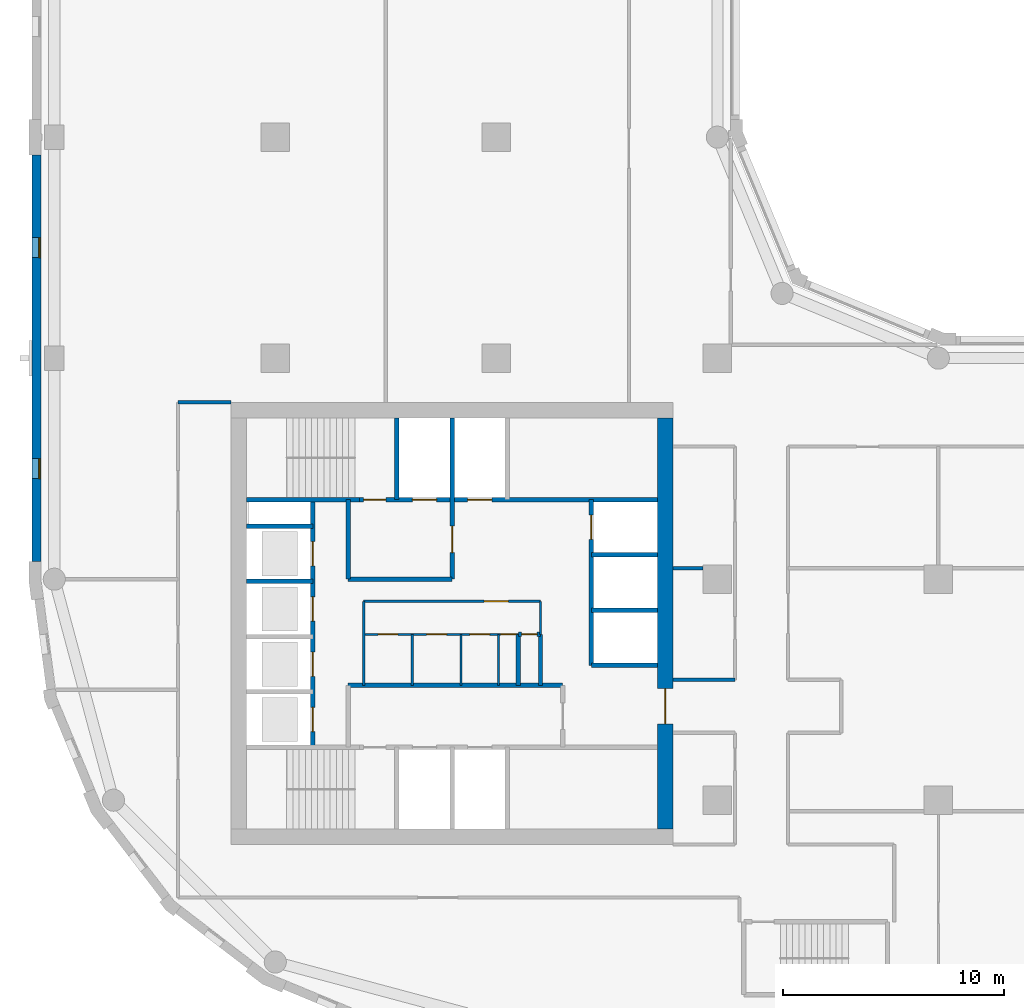
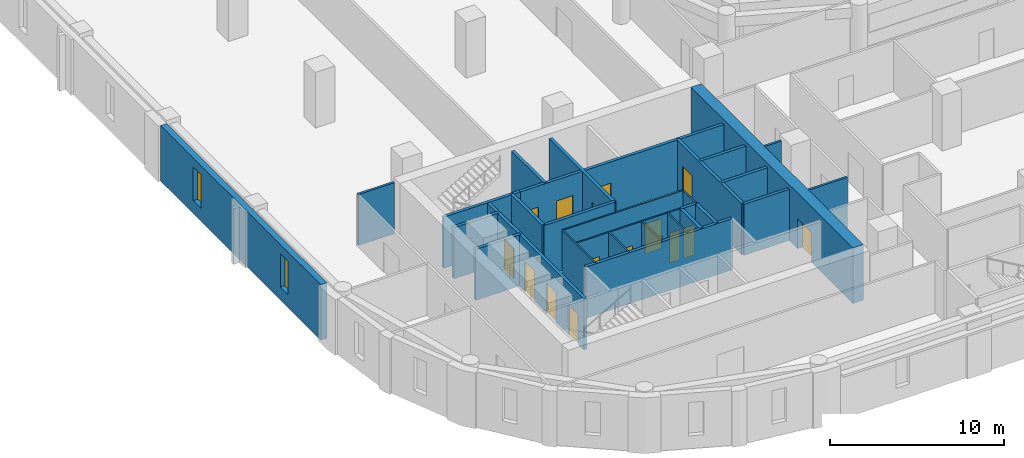
# One storey, part 3 of 9: 29 walls, 16 doors, 2 windows, 18 openings.
"""IFC4 building model written with IfcOpenShell, lengths in metres."""

import ifcopenshell
import ifcopenshell.guid

model = None  # the IFC model being written
_history = None  # IfcOwnerHistory: only IFC2X3 demands one
_inside = {}  # id of a spatial element -> (the spatial element, [elements in it])
_under = {}  # id of a project, library or spatial element -> (it, [spatial elements below it])
_declared = {}  # id of a project -> (the project, [libraries it declares])
_typed = {}  # id of a type object -> (the type object, [elements of that type])
_made_of = {}  # id of a material, layer set ... -> (it, [elements and type objects made of it])


def new_model(schema):
    """Start an empty IFC model of exactly this schema.

    Asked for "IFC4X3", IfcOpenShell would pick the latest addendum, in which some entities
    have other attributes; the version numbers below select the first issue.
    IFC2X3 requires an IfcOwnerHistory on every rooted entity: one is made here for all.
    """
    global model, _history
    if schema == "IFC4X3":
        model = ifcopenshell.file(schema_version=(4, 3, 0, 0))
    else:
        model = ifcopenshell.file(schema=schema)
    _inside.clear()
    _under.clear()
    _declared.clear()
    _typed.clear()
    _made_of.clear()
    _history = None
    if model.schema == "IFC2X3":
        org = make("IfcOrganization", Name="unknown")
        user = make(
            "IfcPersonAndOrganization",
            ThePerson=make("IfcPerson", FamilyName="unknown"),
            TheOrganization=org,
        )
        app = make(
            "IfcApplication",
            ApplicationDeveloper=org,
            Version="unknown",
            ApplicationFullName="unknown",
            ApplicationIdentifier="unknown",
        )
        _history = make(
            "IfcOwnerHistory",
            OwningUser=user,
            OwningApplication=app,
            ChangeAction="ADDED",
            CreationDate=0,
        )
    return model


def make(cls, **values):
    """One entity of the class cls with the attributes given. An attribute that is None is left unset."""
    return model.create_entity(
        cls, **{name: value for name, value in values.items() if value is not None}
    )


def rooted(cls, **values):
    """An entity with a GlobalId (a new one), such as an element, a storey or a relation."""
    return make(cls, GlobalId=ifcopenshell.guid.new(), OwnerHistory=_history, **values)


def si_unit(unit_type, name, prefix=None):
    """IfcSIUnit, for example si_unit("LENGTHUNIT", "METRE", prefix="MILLI")."""
    return make("IfcSIUnit", UnitType=unit_type, Prefix=prefix, Name=name)


def assignment(units):
    """IfcUnitAssignment: the units of a project."""
    return None if units is None else make("IfcUnitAssignment", Units=units)


def point(xyz):
    """IfcCartesianPoint."""
    return None if xyz is None else make("IfcCartesianPoint", Coordinates=xyz)


def direction(xyz):
    """IfcDirection."""
    return None if xyz is None else make("IfcDirection", DirectionRatios=xyz)


def frame(location, z_axis=None, x_axis=None):
    """IfcAxis2Placement3D, a coordinate frame: its origin and axes. An axis left out is left unset."""
    return make(
        "IfcAxis2Placement3D",
        Location=point(location),
        Axis=direction(z_axis),
        RefDirection=direction(x_axis),
    )


def frame_2d(location, x_axis=None):
    """IfcAxis2Placement2D, a coordinate frame in the plane: its origin and x axis."""
    return make(
        "IfcAxis2Placement2D", Location=point(location), RefDirection=direction(x_axis)
    )


def origin():
    """The frame at (0, 0, 0) with its axes left unset."""
    return frame((0.0, 0.0, 0.0))


def place(relative_to, where):
    """IfcLocalPlacement: puts the frame where relative to a parent placement (None: the world)."""
    return make(
        "IfcLocalPlacement", PlacementRelTo=relative_to, RelativePlacement=where
    )


def context(
    kind, dimensions, precision=None, world=None, true_north=None, identifier=None
):
    """IfcGeometricRepresentationContext, for example the 3D "Model" context."""
    return make(
        "IfcGeometricRepresentationContext",
        ContextIdentifier=identifier,
        ContextType=kind,
        CoordinateSpaceDimension=dimensions,
        Precision=precision,
        WorldCoordinateSystem=world,
        TrueNorth=true_north,
    )


def subcontext(parent, identifier, kind, view, scale=None):
    """IfcGeometricRepresentationSubContext, for example "Body" below "Model"."""
    return make(
        "IfcGeometricRepresentationSubContext",
        ContextIdentifier=identifier,
        ContextType=kind,
        ParentContext=parent,
        TargetScale=scale,
        TargetView=view,
    )


def project(units=None, contexts=None):
    """IfcProject with its units and contexts."""
    return rooted(
        "IfcProject",
        Name="project",
        RepresentationContexts=contexts,
        UnitsInContext=assignment(units),
    )


def spatial(cls, under=None, at=None, **own):
    """A site, building, storey or space (cls), placed at a placement, below another one or the project."""
    s = rooted(cls, ObjectPlacement=at, **own)
    if under is not None:
        _under.setdefault(under.id(), (under, []))[1].append(s)
    return s


def profile(cls, at=None, kind="AREA", **sizes):
    """A parametric profile (cls). Its sizes go by their IFC names, for example OverallWidth=200.0."""
    return make(cls, ProfileType=kind, Position=at, **sizes)


def rectangle(**sizes):
    """IfcRectangleProfileDef."""
    return profile("IfcRectangleProfileDef", **sizes)


def extrude(swept, where, along, depth):
    """IfcExtrudedAreaSolid: the profile swept, set in the frame where, extruded along a direction by depth."""
    return make(
        "IfcExtrudedAreaSolid",
        SweptArea=swept,
        Position=where,
        ExtrudedDirection=direction(along),
        Depth=depth,
    )


def shape(context_of_items, identifier, shape_type, items):
    """IfcShapeRepresentation: the items that make up one representation, for example the "Body"."""
    return make(
        "IfcShapeRepresentation",
        ContextOfItems=context_of_items,
        RepresentationIdentifier=identifier,
        RepresentationType=shape_type,
        Items=items,
    )


def material(Name=None, Category=None):
    """IfcMaterial."""
    return make("IfcMaterial", Name=Name, Category=Category)


def layer(
    of_material, thickness, ventilated=None, Name=None, Category=None, Priority=None
):
    """IfcMaterialLayer: one layer of a wall or slab, of a material (None: an air gap)."""
    return make(
        "IfcMaterialLayer",
        Material=of_material,
        LayerThickness=thickness,
        IsVentilated=ventilated,
        Name=Name,
        Category=Category,
        Priority=Priority,
    )


def layer_set(layers, Name=None):
    """IfcMaterialLayerSet."""
    return make("IfcMaterialLayerSet", MaterialLayers=layers, LayerSetName=Name)


def made_of(thing, what):
    """Note that an element or type object is made of a material, layer set ...; save() writes the relation."""
    if what is not None:
        _made_of.setdefault(what.id(), (what, []))[1].append(thing)
    return thing


def type_object(cls, material=None, **own):
    """A type object (cls), such as IfcWallType, which elements share."""
    return made_of(rooted(cls, **own), material)


def element(
    cls,
    number,
    at=None,
    inside=None,
    cuts=None,
    type_object=None,
    material=None,
    context=None,
    identifier="Body",
    shape_type=None,
    held_by="IfcProductDefinitionShape",
    body=None,
    shapes=None,
    **own,
):
    """One element of the class cls, such as IfcWall. Its Tag is "e" and its number.

    at: its placement. inside: the storey or other place that contains it. cuts: it is an
    opening in that element (IfcRelVoidsElement). A single representation is given by context,
    identifier, shape_type and body (its items); several are given by shapes. held_by: the class
    of the entity that holds the representations. save() writes the other relations.
    """
    e = rooted(cls, Tag="e%d" % number, ObjectPlacement=at, **own)
    if body is not None:
        shapes = [shape(context, identifier, shape_type, body)]
    if shapes is not None:
        e.Representation = make(held_by, Representations=shapes)
    if inside is not None:
        _inside.setdefault(inside.id(), (inside, []))[1].append(e)
    if cuts is not None:
        rooted(
            "IfcRelVoidsElement", RelatingBuildingElement=cuts, RelatedOpeningElement=e
        )
    if type_object is not None:
        _typed.setdefault(type_object.id(), (type_object, []))[1].append(e)
    return made_of(e, material)


def fill(opening, filler):
    """IfcRelFillsElement: the door or window that sits in an opening."""
    return rooted(
        "IfcRelFillsElement",
        RelatingOpeningElement=opening,
        RelatedBuildingElement=filler,
    )


def aggregate(whole, parts):
    """IfcRelAggregates: a whole, such as a stair, and the parts it consists of."""
    return rooted("IfcRelAggregates", RelatingObject=whole, RelatedObjects=parts)


def save(model, path):
    """Write the relations noted so far, then the file.

    IfcRelAggregates (storeys below a building ...), IfcRelContainedInSpatialStructure (elements
    in a storey), IfcRelDefinesByType, IfcRelAssociatesMaterial and IfcRelDeclares: one each for
    every whole, place, type object, material and project.
    """
    for whole, parts in _under.values():
        aggregate(whole, parts)
    for where, things in _inside.values():
        rooted(
            "IfcRelContainedInSpatialStructure",
            RelatedElements=things,
            RelatingStructure=where,
        )
    for kind, things in _typed.values():
        rooted("IfcRelDefinesByType", RelatedObjects=things, RelatingType=kind)
    for what, things in _made_of.values():
        rooted("IfcRelAssociatesMaterial", RelatedObjects=things, RelatingMaterial=what)
    for by, libraries in _declared.values():
        rooted("IfcRelDeclares", RelatingContext=by, RelatedDefinitions=libraries)
    model.write(path)


model = new_model("IFC4")

# Units and contexts
model_context = context("Model", 3, precision=1e-05, world=origin(), true_north=direction((0.0, 1.0)))
body_context = subcontext(model_context, "Body", "Model", "MODEL_VIEW")
ifc_project = project(units=[si_unit("LENGTHUNIT", "METRE"), si_unit("AREAUNIT", "SQUARE_METRE"), si_unit("VOLUMEUNIT", "CUBIC_METRE"), si_unit("PLANEANGLEUNIT", "RADIAN"), si_unit("MASSUNIT", "GRAM", prefix="KILO")], contexts=[model_context])

# Site, building, storey
site_placement = place(None, origin())
site = spatial("IfcSite", under=ifc_project, at=site_placement, CompositionType="ELEMENT")
building_placement = place(site_placement, origin())
building = spatial("IfcBuilding", under=site, at=building_placement, Name="Qaws Garden Tower", CompositionType="ELEMENT")
storey_placement = place(building_placement, frame((0.0, 0.0, 217.5)))
storey = spatial("IfcBuildingStorey", under=building, at=storey_placement, Name="L53", CompositionType="ELEMENT", Elevation=217.5)

# Wall, openings, windows
ifc_material_1 = material(Name="Clay facing brick masonry", Category="masonry")
ifc_layer_1 = layer(ifc_material_1, 0.39990234375)
ifc_layer_set_1 = layer_set([ifc_layer_1], Name="Clay facing brick masonry")
wall_type_1 = type_object("IfcWallType", Name="Brick infill wall 400", PredefinedType="SOLIDWALL", material=ifc_layer_set_1)
wall_1_placement = place(storey_placement, frame((-0.800048828125, 39.199951171875, 0.0), z_axis=(0.0, 0.0, 1.0), x_axis=(0.0, -1.0, 0.0)))
wall_1 = element("IfcWall", 1, at=wall_1_placement, inside=storey, type_object=wall_type_1, Name="E-L53-infill-23", PredefinedType="SOLIDWALL", context=body_context, shape_type="SweptSolid", body=[
    extrude(rectangle(XDim=18.39990234375, YDim=0.39990234375, at=frame_2d((9.199951171875, 0.0))), origin(), (0.0, 0.0, 1.0), 3.89990234375),
])
opening_1_placement = place(wall_1_placement, frame((3.75, 0.0, 0.89990234375)))
opening_1 = element("IfcOpeningElement", 2, at=opening_1_placement, cuts=wall_1, Name="Opening W09", PredefinedType="OPENING", context=body_context, shape_type="SweptSolid", body=[
    extrude(rectangle(XDim=0.89990234375, YDim=2.35009765625, at=frame_2d((0.449951171875, 1.175048828125))), frame((0.0, 0.2099609375, 0.0), z_axis=(0.0, -1.0, 0.0), x_axis=(1.0, 0.0, 0.0)), (0.0, 0.0, 1.0), 0.419921875),
])
opening_2_placement = place(wall_1_placement, frame((13.75, 0.0, 0.89990234375)))
opening_2 = element("IfcOpeningElement", 3, at=opening_2_placement, cuts=wall_1, Name="Opening W09", PredefinedType="OPENING", context=body_context, shape_type="SweptSolid", body=[
    extrude(rectangle(XDim=0.89990234375, YDim=2.35009765625, at=frame_2d((0.449951171875, 1.175048828125))), frame((0.0, 0.2099609375, 0.0), z_axis=(0.0, -1.0, 0.0), x_axis=(1.0, 0.0, 0.0)), (0.0, 0.0, 1.0), 0.419921875),
])
ifc_material_2 = material(Name="Aluminium framed window, clear glazing", Category="aluminium")
window_type = type_object("IfcWindowType", Name="Slit window 900 x 2350", PartitioningType="SINGLE_PANEL", PredefinedType="WINDOW", material=ifc_material_2)
window_1_placement = place(opening_1_placement, origin())
window_1 = element("IfcWindow", 4, at=window_1_placement, inside=storey, type_object=window_type, Name="E-L53-window-23-0", OverallHeight=2.35009765625, OverallWidth=0.89990234375, PartitioningType="SINGLE_PANEL", PredefinedType="WINDOW", context=body_context, shape_type="SweptSolid", body=[
    extrude(rectangle(XDim=0.89990234375, YDim=2.35009765625, at=frame_2d((0.449951171875, 1.175048828125))), frame((0.0, 0.159912109375, 0.0), z_axis=(0.0, -1.0, 0.0), x_axis=(1.0, 0.0, 0.0)), (0.0, 0.0, 1.0), 0.06005859375),
])
fill(opening_1, window_1)
window_2_placement = place(opening_2_placement, origin())
window_2 = element("IfcWindow", 5, at=window_2_placement, inside=storey, type_object=window_type, Name="E-L53-window-24-0", OverallHeight=2.35009765625, OverallWidth=0.89990234375, PartitioningType="SINGLE_PANEL", PredefinedType="WINDOW", context=body_context, shape_type="SweptSolid", body=[
    extrude(rectangle(XDim=0.89990234375, YDim=2.35009765625, at=frame_2d((0.449951171875, 1.175048828125))), frame((0.0, 0.159912109375, 0.0), z_axis=(0.0, -1.0, 0.0), x_axis=(1.0, 0.0, 0.0)), (0.0, 0.0, 1.0), 0.06005859375),
])
fill(opening_2, window_2)

# Wall, openings, doors
ifc_material_3 = material(Name="Plasterboard")
ifc_layer_2 = layer(ifc_material_3, 0.10009765625)
ifc_layer_set_2 = layer_set([ifc_layer_2], Name="Plasterboard")
wall_type_2 = type_object("IfcWallType", Name="Core partition 100", PredefinedType="PARTITIONING", material=ifc_layer_set_2)
wall_2_placement = place(storey_placement, frame((14.0, 17.5, 0.0), z_axis=(0.0, 0.0, 1.0), x_axis=(1.0, 0.0, 0.0)))
wall_2 = element("IfcWall", 6, at=wall_2_placement, inside=storey, type_object=wall_type_2, Name="Core partition", PredefinedType="PARTITIONING", context=body_context, shape_type="SweptSolid", body=[
    extrude(rectangle(XDim=7.0, YDim=0.10009765625, at=frame_2d((3.5, 0.0))), origin(), (0.0, 0.0, 1.0), 3.580078125),
])
opening_3_placement = place(wall_2_placement, frame((0.64990234375, 0.0, 0.0)))
opening_3 = element("IfcOpeningElement", 7, at=opening_3_placement, cuts=wall_2, Name="Opening WD18", PredefinedType="OPENING", context=body_context, shape_type="SweptSolid", body=[
    extrude(rectangle(XDim=0.89990234375, YDim=2.10009765625, at=frame_2d((0.449951171875, 1.050048828125))), frame((0.0, 0.06005859375, 0.0), z_axis=(0.0, -1.0, 0.0), x_axis=(1.0, 0.0, 0.0)), (0.0, 0.0, 1.0), 0.1201171875),
])
opening_4_placement = place(wall_2_placement, frame((2.85009765625, 0.0, 0.0)))
opening_4 = element("IfcOpeningElement", 8, at=opening_4_placement, cuts=wall_2, Name="Opening WD19", PredefinedType="OPENING", context=body_context, shape_type="SweptSolid", body=[
    extrude(rectangle(XDim=0.89990234375, YDim=2.10009765625, at=frame_2d((0.449951171875, 1.050048828125))), frame((0.0, 0.06005859375, 0.0), z_axis=(0.0, -1.0, 0.0), x_axis=(1.0, 0.0, 0.0)), (0.0, 0.0, 1.0), 0.1201171875),
])
opening_5_placement = place(wall_2_placement, frame((4.800048828125, 0.0, 0.0)))
opening_5 = element("IfcOpeningElement", 9, at=opening_5_placement, cuts=wall_2, Name="Opening WD20", PredefinedType="OPENING", context=body_context, shape_type="SweptSolid", body=[
    extrude(rectangle(XDim=0.89990234375, YDim=2.10009765625, at=frame_2d((0.449951171875, 1.050048828125))), frame((0.0, 0.06005859375, 0.0), z_axis=(0.0, -1.0, 0.0), x_axis=(1.0, 0.0, 0.0)), (0.0, 0.0, 1.0), 0.1201171875),
])
opening_6_placement = place(wall_2_placement, frame((6.199951171875, 0.0, 0.0)))
opening_6 = element("IfcOpeningElement", 10, at=opening_6_placement, cuts=wall_2, Name="Opening XD21", PredefinedType="OPENING", context=body_context, shape_type="SweptSolid", body=[
    extrude(rectangle(XDim=0.699951171875, YDim=2.10009765625, at=frame_2d((0.35009765625, 1.050048828125))), frame((0.0, 0.06005859375, 0.0), z_axis=(0.0, -1.0, 0.0), x_axis=(1.0, 0.0, 0.0)), (0.0, 0.0, 1.0), 0.1201171875),
])
ifc_material_4 = material(Name="Timber", Category="wood")
door_type_1 = type_object("IfcDoorType", Name="Store door 700x2100", OperationType="SINGLE_SWING_LEFT", PredefinedType="DOOR", material=ifc_material_4)
door_1_placement = place(opening_6_placement, frame((0.699951171875, 0.0, 0.0), z_axis=(0.0, 0.0, 1.0), x_axis=(-1.0, 0.0, 0.0)))
door_1 = element("IfcDoor", 11, at=door_1_placement, inside=storey, type_object=door_type_1, Name="Cleaner's store door", OperationType="SINGLE_SWING_LEFT", OverallHeight=2.10009765625, OverallWidth=0.699951171875, PredefinedType="DOOR", context=body_context, shape_type="SweptSolid", body=[
    extrude(rectangle(XDim=0.699951171875, YDim=2.10009765625, at=frame_2d((0.35009765625, 1.050048828125))), frame((0.0, 0.02490234375, 0.0), z_axis=(0.0, -1.0, 0.0), x_axis=(1.0, 0.0, 0.0)), (0.0, 0.0, 1.0), 0.050048828125),
])
fill(opening_6, door_1)
ifc_material_5 = material(Name="Timber", Category="wood")
door_type_2 = type_object("IfcDoorType", Name="WC door 900x2100", OperationType="SINGLE_SWING_LEFT", PredefinedType="DOOR", material=ifc_material_5)
door_2_placement = place(opening_3_placement, frame((0.89990234375, 0.0, 0.0), z_axis=(0.0, 0.0, 1.0), x_axis=(-1.0, 0.0, 0.0)))
door_2 = element("IfcDoor", 12, at=door_2_placement, inside=storey, type_object=door_type_2, Name="Men's WC door", OperationType="SINGLE_SWING_LEFT", OverallHeight=2.10009765625, OverallWidth=0.89990234375, PredefinedType="DOOR", context=body_context, shape_type="SweptSolid", body=[
    extrude(rectangle(XDim=0.89990234375, YDim=2.10009765625, at=frame_2d((0.449951171875, 1.050048828125))), frame((0.0, 0.02490234375, 0.0), z_axis=(0.0, -1.0, 0.0), x_axis=(1.0, 0.0, 0.0)), (0.0, 0.0, 1.0), 0.050048828125),
])
fill(opening_3, door_2)
door_3_placement = place(opening_4_placement, frame((0.89990234375, 0.0, 0.0), z_axis=(0.0, 0.0, 1.0), x_axis=(-1.0, 0.0, 0.0)))
door_3 = element("IfcDoor", 13, at=door_3_placement, inside=storey, type_object=door_type_2, Name="Women's WC door", OperationType="SINGLE_SWING_LEFT", OverallHeight=2.10009765625, OverallWidth=0.89990234375, PredefinedType="DOOR", context=body_context, shape_type="SweptSolid", body=[
    extrude(rectangle(XDim=0.89990234375, YDim=2.10009765625, at=frame_2d((0.449951171875, 1.050048828125))), frame((0.0, 0.02490234375, 0.0), z_axis=(0.0, -1.0, 0.0), x_axis=(1.0, 0.0, 0.0)), (0.0, 0.0, 1.0), 0.050048828125),
])
fill(opening_4, door_3)
door_4_placement = place(opening_5_placement, frame((0.89990234375, 0.0, 0.0), z_axis=(0.0, 0.0, 1.0), x_axis=(-1.0, 0.0, 0.0)))
door_4 = element("IfcDoor", 14, at=door_4_placement, inside=storey, type_object=door_type_2, Name="Accessible WC door", OperationType="SINGLE_SWING_LEFT", OverallHeight=2.10009765625, OverallWidth=0.89990234375, PredefinedType="DOOR", context=body_context, shape_type="SweptSolid", body=[
    extrude(rectangle(XDim=0.89990234375, YDim=2.10009765625, at=frame_2d((0.449951171875, 1.050048828125))), frame((0.0, 0.02490234375, 0.0), z_axis=(0.0, -1.0, 0.0), x_axis=(1.0, 0.0, 0.0)), (0.0, 0.0, 1.0), 0.050048828125),
])
fill(opening_5, door_4)

# Wall, opening, door
wall_3_placement = place(storey_placement, frame((14.0, 19.0, 0.0), z_axis=(0.0, 0.0, 1.0), x_axis=(1.0, 0.0, 0.0)))
wall_3 = element("IfcWall", 15, at=wall_3_placement, inside=storey, type_object=wall_type_2, Name="Core partition", PredefinedType="PARTITIONING", context=body_context, shape_type="SweptSolid", body=[
    extrude(rectangle(XDim=8.0, YDim=0.10009765625, at=frame_2d((4.0, 0.0))), origin(), (0.0, 0.0, 1.0), 3.580078125),
])
opening_7_placement = place(wall_3_placement, frame((5.449951171875, 0.0, 0.0)))
opening_7 = element("IfcOpeningElement", 16, at=opening_7_placement, cuts=wall_3, Name="Opening WL17", PredefinedType="OPENING", context=body_context, shape_type="SweptSolid", body=[
    extrude(rectangle(XDim=1.10009765625, YDim=2.10009765625, at=frame_2d((0.550048828125, 1.050048828125))), frame((0.0, 0.06005859375, 0.0), z_axis=(0.0, -1.0, 0.0), x_axis=(1.0, 0.0, 0.0)), (0.0, 0.0, 1.0), 0.1201171875),
])
ifc_material_6 = material(Name="Timber", Category="wood")
door_type_3 = type_object("IfcDoorType", Name="WC lobby door 1100x2100", OperationType="SINGLE_SWING_LEFT", PredefinedType="DOOR", material=ifc_material_6)
door_5_placement = place(opening_7_placement, frame((1.10009765625, 0.0, 0.0), z_axis=(0.0, 0.0, 1.0), x_axis=(-1.0, 0.0, 0.0)))
door_5 = element("IfcDoor", 17, at=door_5_placement, inside=storey, type_object=door_type_3, Name="WC lobby door", OperationType="SINGLE_SWING_LEFT", OverallHeight=2.10009765625, OverallWidth=1.10009765625, PredefinedType="DOOR", context=body_context, shape_type="SweptSolid", body=[
    extrude(rectangle(XDim=1.10009765625, YDim=2.10009765625, at=frame_2d((0.550048828125, 1.050048828125))), frame((0.0, 0.02490234375, 0.0), z_axis=(0.0, -1.0, 0.0), x_axis=(1.0, 0.0, 0.0)), (0.0, 0.0, 1.0), 0.050048828125),
])
fill(opening_7, door_5)

# Walls
wall_4_placement = place(storey_placement, frame((14.0, 15.199951171875, 0.0), z_axis=(0.0, 0.0, 1.0), x_axis=(0.0, 1.0, 0.0)))
element("IfcWall", 18, at=wall_4_placement, inside=storey, type_object=wall_type_2, Name="Core partition", PredefinedType="PARTITIONING", context=body_context, shape_type="SweptSolid", body=[
    extrude(rectangle(XDim=3.800048828125, YDim=0.10009765625, at=frame_2d((1.89990234375, 0.0))), origin(), (0.0, 0.0, 1.0), 3.580078125),
])
for number, where, z_axis, x_axis, name in (
    (19, (16.199951171875, 15.199951171875, 0.0), (0.0, 0.0, 1.0), (0.0, 1.0, 0.0), "Core partition"),
    (20, (18.39990234375, 15.199951171875, 0.0), (0.0, 0.0, 1.0), (0.0, 1.0, 0.0), "Core partition"),
    (21, (20.10009765625, 15.199951171875, 0.0), (0.0, 0.0, 1.0), (0.0, 1.0, 0.0), "Core partition"),
):
    element("IfcWall", number, at=place(storey_placement, frame(where, z_axis=z_axis, x_axis=x_axis)), inside=storey, type_object=wall_type_2, Name=name, PredefinedType="PARTITIONING", context=body_context, shape_type="SweptSolid", body=[
        extrude(rectangle(XDim=2.300048828125, YDim=0.10009765625, at=frame_2d((1.14990234375, 0.0))), origin(), (0.0, 0.0, 1.0), 3.580078125),
    ])
wall_5_placement = place(storey_placement, frame((22.0, 17.5, 0.0), z_axis=(0.0, 0.0, 1.0), x_axis=(0.0, 1.0, 0.0)))
element("IfcWall", 22, at=wall_5_placement, inside=storey, type_object=wall_type_2, Name="Core partition", PredefinedType="PARTITIONING", context=body_context, shape_type="SweptSolid", body=[
    extrude(rectangle(XDim=1.5, YDim=0.10009765625, at=frame_2d((0.75, 0.0))), origin(), (0.0, 0.0, 1.0), 3.580078125),
])
ifc_material_7 = material(Name="Concrete C70", Category="concrete")
ifc_layer_3 = layer(ifc_material_7, 0.199951171875)
ifc_layer_set_3 = layer_set([ifc_layer_3], Name="Concrete C70")
wall_type_3 = type_object("IfcWallType", Name="Core shaft wall 200 C70", PredefinedType="SHEAR", material=ifc_layer_set_3)
wall_6_placement = place(storey_placement, frame((13.300048828125, 15.199951171875, 0.0), z_axis=(0.0, 0.0, 1.0), x_axis=(1.0, 0.0, 0.0)))
element("IfcWall", 23, at=wall_6_placement, inside=storey, type_object=wall_type_3, Name="Shaft wall", PredefinedType="SHEAR", context=body_context, shape_type="SweptSolid", body=[
    extrude(rectangle(XDim=9.699951171875, YDim=0.199951171875, at=frame_2d((4.85009765625, 0.0))), origin(), (0.0, 0.0, 1.0), 3.580078125),
])
wall_7_placement = place(storey_placement, frame((24.300048828125, 16.10009765625, 0.0), z_axis=(0.0, 0.0, 1.0), x_axis=(1.0, 0.0, 0.0)))
element("IfcWall", 24, at=wall_7_placement, inside=storey, type_object=wall_type_3, Name="Shaft wall", PredefinedType="SHEAR", context=body_context, shape_type="SweptSolid", body=[
    extrude(rectangle(XDim=3.0, YDim=0.199951171875, at=frame_2d((1.5, 0.0))), origin(), (0.0, 0.0, 1.0), 3.580078125),
])

# Wall, opening, door
wall_8_placement = place(storey_placement, frame((21.0, 17.5, 0.0), z_axis=(0.0, 0.0, 1.0), x_axis=(1.0, 0.0, 0.0)))
wall_8 = element("IfcWall", 25, at=wall_8_placement, inside=storey, type_object=wall_type_3, Name="Shaft wall", PredefinedType="SHEAR", context=body_context, shape_type="SweptSolid", body=[
    extrude(rectangle(XDim=1.0, YDim=0.199951171875, at=frame_2d((0.5, 0.0))), origin(), (0.0, 0.0, 1.0), 3.580078125),
])
opening_8_placement = place(wall_8_placement, frame((0.14990234375, 0.0, 0.0)))
opening_8 = element("IfcOpeningElement", 26, at=opening_8_placement, cuts=wall_8, Name="Opening XD22", PredefinedType="OPENING", context=body_context, shape_type="SweptSolid", body=[
    extrude(rectangle(XDim=0.699951171875, YDim=2.10009765625, at=frame_2d((0.35009765625, 1.050048828125))), frame((0.0, 0.10986328125, 0.0), z_axis=(0.0, -1.0, 0.0), x_axis=(1.0, 0.0, 0.0)), (0.0, 0.0, 1.0), 0.219970703125),
])
door_6_placement = place(opening_8_placement, frame((0.699951171875, 0.0, 0.0), z_axis=(0.0, 0.0, 1.0), x_axis=(-1.0, 0.0, 0.0)))
door_6 = element("IfcDoor", 27, at=door_6_placement, inside=storey, type_object=door_type_1, Name="Telecom riser door", OperationType="SINGLE_SWING_LEFT", OverallHeight=2.10009765625, OverallWidth=0.699951171875, PredefinedType="DOOR", context=body_context, shape_type="SweptSolid", body=[
    extrude(rectangle(XDim=0.699951171875, YDim=2.10009765625, at=frame_2d((0.35009765625, 1.050048828125))), frame((0.0, 0.02490234375, 0.0), z_axis=(0.0, -1.0, 0.0), x_axis=(1.0, 0.0, 0.0)), (0.0, 0.0, 1.0), 0.050048828125),
])
fill(opening_8, door_6)

# Walls
for number, where, z_axis, x_axis, name in (
    (28, (24.300048828125, 18.60009765625, 0.0), (0.0, 0.0, 1.0), (1.0, 0.0, 0.0), "Shaft wall"),
    (29, (8.699951171875, 19.89990234375, 0.0), (0.0, 0.0, 1.0), (1.0, 0.0, 0.0), "Shaft wall"),
):
    element("IfcWall", number, at=place(storey_placement, frame(where, z_axis=z_axis, x_axis=x_axis)), inside=storey, type_object=wall_type_3, Name=name, PredefinedType="SHEAR", context=body_context, shape_type="SweptSolid", body=[
        extrude(rectangle(XDim=3.0, YDim=0.199951171875, at=frame_2d((1.5, 0.0))), origin(), (0.0, 0.0, 1.0), 3.580078125),
    ])
wall_9_placement = place(storey_placement, frame((13.300048828125, 20.0, 0.0), z_axis=(0.0, 0.0, 1.0), x_axis=(1.0, 0.0, 0.0)))
element("IfcWall", 30, at=wall_9_placement, inside=storey, type_object=wall_type_3, Name="Shaft wall", PredefinedType="SHEAR", context=body_context, shape_type="SweptSolid", body=[
    extrude(rectangle(XDim=4.699951171875, YDim=0.199951171875, at=frame_2d((2.35009765625, 0.0))), origin(), (0.0, 0.0, 1.0), 3.580078125),
])
for number, where, z_axis, x_axis, name in (
    (31, (24.300048828125, 21.10009765625, 0.0), (0.0, 0.0, 1.0), (1.0, 0.0, 0.0), "Shaft wall"),
    (32, (8.699951171875, 22.39990234375, 0.0), (0.0, 0.0, 1.0), (1.0, 0.0, 0.0), "Shaft wall"),
):
    element("IfcWall", number, at=place(storey_placement, frame(where, z_axis=z_axis, x_axis=x_axis)), inside=storey, type_object=wall_type_3, Name=name, PredefinedType="SHEAR", context=body_context, shape_type="SweptSolid", body=[
        extrude(rectangle(XDim=3.0, YDim=0.199951171875, at=frame_2d((1.5, 0.0))), origin(), (0.0, 0.0, 1.0), 3.580078125),
    ])
wall_10_placement = place(storey_placement, frame((8.699951171875, 23.60009765625, 0.0), z_axis=(0.0, 0.0, 1.0), x_axis=(1.0, 0.0, 0.0)))
element("IfcWall", 33, at=wall_10_placement, inside=storey, type_object=wall_type_3, Name="Shaft wall", PredefinedType="SHEAR", context=body_context, shape_type="SweptSolid", body=[
    extrude(rectangle(XDim=5.10009765625, YDim=0.199951171875, at=frame_2d((2.550048828125, 0.0))), origin(), (0.0, 0.0, 1.0), 3.580078125),
])

# Wall, openings, doors
wall_11_placement = place(storey_placement, frame((13.800048828125, 23.60009765625, 0.0), z_axis=(0.0, 0.0, 1.0), x_axis=(1.0, 0.0, 0.0)))
wall_11 = element("IfcWall", 34, at=wall_11_placement, inside=storey, type_object=wall_type_3, Name="Shaft wall", PredefinedType="SHEAR", context=body_context, shape_type="SweptSolid", body=[
    extrude(rectangle(XDim=13.5, YDim=0.199951171875, at=frame_2d((6.75, 0.0))), origin(), (0.0, 0.0, 1.0), 3.580078125),
])
opening_9_placement = place(wall_11_placement, frame((2.39990234375, 0.0, 0.0)))
opening_9 = element("IfcOpeningElement", 35, at=opening_9_placement, cuts=wall_11, Name="Opening LD08", PredefinedType="OPENING", context=body_context, shape_type="SweptSolid", body=[
    extrude(rectangle(XDim=1.10009765625, YDim=2.10009765625, at=frame_2d((0.550048828125, 1.050048828125))), frame((0.0, 0.10986328125, 0.0), z_axis=(0.0, -1.0, 0.0), x_axis=(1.0, 0.0, 0.0)), (0.0, 0.0, 1.0), 0.219970703125),
])
opening_10_placement = place(wall_11_placement, frame((4.89990234375, 0.0, 0.0)))
opening_10 = element("IfcOpeningElement", 36, at=opening_10_placement, cuts=wall_11, Name="Opening LD09", PredefinedType="OPENING", context=body_context, shape_type="SweptSolid", body=[
    extrude(rectangle(XDim=1.10009765625, YDim=2.10009765625, at=frame_2d((0.550048828125, 1.050048828125))), frame((0.0, 0.10986328125, 0.0), z_axis=(0.0, -1.0, 0.0), x_axis=(1.0, 0.0, 0.0)), (0.0, 0.0, 1.0), 0.219970703125),
])
opening_11_placement = place(wall_11_placement, frame((0.199951171875, 0.0, 0.0)))
opening_11 = element("IfcOpeningElement", 37, at=opening_11_placement, cuts=wall_11, Name="Opening SD11", PredefinedType="OPENING", context=body_context, shape_type="SweptSolid", body=[
    extrude(rectangle(XDim=1.0, YDim=2.10009765625, at=frame_2d((0.5, 1.050048828125))), frame((0.0, 0.10986328125, 0.0), z_axis=(0.0, -1.0, 0.0), x_axis=(1.0, 0.0, 0.0)), (0.0, 0.0, 1.0), 0.219970703125),
])
ifc_material_8 = material(Name="Steel S235", Category="steel")
door_type_4 = type_object("IfcDoorType", Name="Landing door 1100x2100", OperationType="DOUBLE_DOOR_SLIDING", PredefinedType="DOOR", material=ifc_material_8)
door_7_placement = place(opening_9_placement, origin())
door_7 = element("IfcDoor", 38, at=door_7_placement, inside=storey, type_object=door_type_4, Name="Lift FF3 landing door", OperationType="DOUBLE_DOOR_SLIDING", OverallHeight=2.10009765625, OverallWidth=1.10009765625, PredefinedType="DOOR", context=body_context, shape_type="SweptSolid", body=[
    extrude(rectangle(XDim=1.10009765625, YDim=2.10009765625, at=frame_2d((0.550048828125, 1.050048828125))), frame((0.0, 0.02490234375, 0.0), z_axis=(0.0, -1.0, 0.0), x_axis=(1.0, 0.0, 0.0)), (0.0, 0.0, 1.0), 0.050048828125),
])
fill(opening_9, door_7)
door_8_placement = place(opening_10_placement, origin())
door_8 = element("IfcDoor", 39, at=door_8_placement, inside=storey, type_object=door_type_4, Name="Lift SV2 landing door", OperationType="DOUBLE_DOOR_SLIDING", OverallHeight=2.10009765625, OverallWidth=1.10009765625, PredefinedType="DOOR", context=body_context, shape_type="SweptSolid", body=[
    extrude(rectangle(XDim=1.10009765625, YDim=2.10009765625, at=frame_2d((0.550048828125, 1.050048828125))), frame((0.0, 0.02490234375, 0.0), z_axis=(0.0, -1.0, 0.0), x_axis=(1.0, 0.0, 0.0)), (0.0, 0.0, 1.0), 0.050048828125),
])
fill(opening_10, door_8)
ifc_material_9 = material(Name="Steel S235", Category="steel")
door_type_5 = type_object("IfcDoorType", Name="Stair door 1000x2100", OperationType="SINGLE_SWING_RIGHT", PredefinedType="DOOR", material=ifc_material_9)
door_9_placement = place(opening_11_placement, origin())
door_9 = element("IfcDoor", 40, at=door_9_placement, inside=storey, type_object=door_type_5, Name="Stair 4 door", OperationType="SINGLE_SWING_RIGHT", OverallHeight=2.10009765625, OverallWidth=1.0, PredefinedType="DOOR", context=body_context, shape_type="SweptSolid", body=[
    extrude(rectangle(XDim=1.0, YDim=2.10009765625, at=frame_2d((0.5, 1.050048828125))), frame((0.0, 0.02490234375, 0.0), z_axis=(0.0, -1.0, 0.0), x_axis=(1.0, 0.0, 0.0)), (0.0, 0.0, 1.0), 0.050048828125),
])
fill(opening_11, door_9)

wall_12_placement = place(storey_placement, frame((11.699951171875, 12.39990234375, 0.0), z_axis=(0.0, 0.0, 1.0), x_axis=(0.0, 1.0, 0.0)))
wall_12 = element("IfcWall", 41, at=wall_12_placement, inside=storey, type_object=wall_type_3, Name="Shaft wall", PredefinedType="SHEAR", context=body_context, shape_type="SweptSolid", body=[
    extrude(rectangle(XDim=11.2001953125, YDim=0.199951171875, at=frame_2d((5.60009765625, 0.0))), origin(), (0.0, 0.0, 1.0), 3.580078125),
])
opening_12_placement = place(wall_12_placement, frame((0.699951171875, 0.0, 0.0)))
opening_12 = element("IfcOpeningElement", 42, at=opening_12_placement, cuts=wall_12, Name="Opening LD01", PredefinedType="OPENING", context=body_context, shape_type="SweptSolid", body=[
    extrude(rectangle(XDim=1.10009765625, YDim=2.10009765625, at=frame_2d((0.550048828125, 1.050048828125))), frame((0.0, 0.10986328125, 0.0), z_axis=(0.0, -1.0, 0.0), x_axis=(1.0, 0.0, 0.0)), (0.0, 0.0, 1.0), 0.219970703125),
])
opening_13_placement = place(wall_12_placement, frame((3.199951171875, 0.0, 0.0)))
opening_13 = element("IfcOpeningElement", 43, at=opening_13_placement, cuts=wall_12, Name="Opening LD02", PredefinedType="OPENING", context=body_context, shape_type="SweptSolid", body=[
    extrude(rectangle(XDim=1.10009765625, YDim=2.10009765625, at=frame_2d((0.550048828125, 1.050048828125))), frame((0.0, 0.10986328125, 0.0), z_axis=(0.0, -1.0, 0.0), x_axis=(1.0, 0.0, 0.0)), (0.0, 0.0, 1.0), 0.219970703125),
])
opening_14_placement = place(wall_12_placement, frame((5.699951171875, 0.0, 0.0)))
opening_14 = element("IfcOpeningElement", 44, at=opening_14_placement, cuts=wall_12, Name="Opening LD03", PredefinedType="OPENING", context=body_context, shape_type="SweptSolid", body=[
    extrude(rectangle(XDim=1.10009765625, YDim=2.10009765625, at=frame_2d((0.550048828125, 1.050048828125))), frame((0.0, 0.10986328125, 0.0), z_axis=(0.0, -1.0, 0.0), x_axis=(1.0, 0.0, 0.0)), (0.0, 0.0, 1.0), 0.219970703125),
])
opening_15_placement = place(wall_12_placement, frame((8.199951171875, 0.0, 0.0)))
opening_15 = element("IfcOpeningElement", 45, at=opening_15_placement, cuts=wall_12, Name="Opening LD04", PredefinedType="OPENING", context=body_context, shape_type="SweptSolid", body=[
    extrude(rectangle(XDim=1.10009765625, YDim=2.10009765625, at=frame_2d((0.550048828125, 1.050048828125))), frame((0.0, 0.10986328125, 0.0), z_axis=(0.0, -1.0, 0.0), x_axis=(1.0, 0.0, 0.0)), (0.0, 0.0, 1.0), 0.219970703125),
])
door_10_placement = place(opening_12_placement, origin())
door_10 = element("IfcDoor", 46, at=door_10_placement, inside=storey, type_object=door_type_4, Name="Lift W1 landing door", OperationType="DOUBLE_DOOR_SLIDING", OverallHeight=2.10009765625, OverallWidth=1.10009765625, PredefinedType="DOOR", context=body_context, shape_type="SweptSolid", body=[
    extrude(rectangle(XDim=1.10009765625, YDim=2.10009765625, at=frame_2d((0.550048828125, 1.050048828125))), frame((0.0, 0.02490234375, 0.0), z_axis=(0.0, -1.0, 0.0), x_axis=(1.0, 0.0, 0.0)), (0.0, 0.0, 1.0), 0.050048828125),
])
fill(opening_12, door_10)
door_11_placement = place(opening_13_placement, origin())
door_11 = element("IfcDoor", 47, at=door_11_placement, inside=storey, type_object=door_type_4, Name="Lift W2 landing door", OperationType="DOUBLE_DOOR_SLIDING", OverallHeight=2.10009765625, OverallWidth=1.10009765625, PredefinedType="DOOR", context=body_context, shape_type="SweptSolid", body=[
    extrude(rectangle(XDim=1.10009765625, YDim=2.10009765625, at=frame_2d((0.550048828125, 1.050048828125))), frame((0.0, 0.02490234375, 0.0), z_axis=(0.0, -1.0, 0.0), x_axis=(1.0, 0.0, 0.0)), (0.0, 0.0, 1.0), 0.050048828125),
])
fill(opening_13, door_11)
door_12_placement = place(opening_14_placement, origin())
door_12 = element("IfcDoor", 48, at=door_12_placement, inside=storey, type_object=door_type_4, Name="Lift W3 landing door", OperationType="DOUBLE_DOOR_SLIDING", OverallHeight=2.10009765625, OverallWidth=1.10009765625, PredefinedType="DOOR", context=body_context, shape_type="SweptSolid", body=[
    extrude(rectangle(XDim=1.10009765625, YDim=2.10009765625, at=frame_2d((0.550048828125, 1.050048828125))), frame((0.0, 0.02490234375, 0.0), z_axis=(0.0, -1.0, 0.0), x_axis=(1.0, 0.0, 0.0)), (0.0, 0.0, 1.0), 0.050048828125),
])
fill(opening_14, door_12)
door_13_placement = place(opening_15_placement, origin())
door_13 = element("IfcDoor", 49, at=door_13_placement, inside=storey, type_object=door_type_4, Name="Lift W4 landing door", OperationType="DOUBLE_DOOR_SLIDING", OverallHeight=2.10009765625, OverallWidth=1.10009765625, PredefinedType="DOOR", context=body_context, shape_type="SweptSolid", body=[
    extrude(rectangle(XDim=1.10009765625, YDim=2.10009765625, at=frame_2d((0.550048828125, 1.050048828125))), frame((0.0, 0.02490234375, 0.0), z_axis=(0.0, -1.0, 0.0), x_axis=(1.0, 0.0, 0.0)), (0.0, 0.0, 1.0), 0.050048828125),
])
fill(opening_15, door_13)

# Walls
wall_13_placement = place(storey_placement, frame((13.300048828125, 20.0, 0.0), z_axis=(0.0, 0.0, 1.0), x_axis=(0.0, 1.0, 0.0)))
element("IfcWall", 50, at=wall_13_placement, inside=storey, type_object=wall_type_3, Name="Shaft wall", PredefinedType="SHEAR", context=body_context, shape_type="SweptSolid", body=[
    extrude(rectangle(XDim=3.60009765625, YDim=0.199951171875, at=frame_2d((1.800048828125, 0.0))), origin(), (0.0, 0.0, 1.0), 3.580078125),
])
wall_14_placement = place(storey_placement, frame((15.5, 23.60009765625, 0.0), z_axis=(0.0, 0.0, 1.0), x_axis=(0.0, 1.0, 0.0)))
element("IfcWall", 51, at=wall_14_placement, inside=storey, type_object=wall_type_3, Name="Shaft wall", PredefinedType="SHEAR", context=body_context, shape_type="SweptSolid", body=[
    extrude(rectangle(XDim=3.699951171875, YDim=0.199951171875, at=frame_2d((1.85009765625, 0.0))), origin(), (0.0, 0.0, 1.0), 3.580078125),
])

# Wall, opening, door
wall_15_placement = place(storey_placement, frame((18.0, 20.0, 0.0), z_axis=(0.0, 0.0, 1.0), x_axis=(0.0, 1.0, 0.0)))
wall_15 = element("IfcWall", 52, at=wall_15_placement, inside=storey, type_object=wall_type_3, Name="Shaft wall", PredefinedType="SHEAR", context=body_context, shape_type="SweptSolid", body=[
    extrude(rectangle(XDim=7.300048828125, YDim=0.199951171875, at=frame_2d((3.64990234375, 0.0))), origin(), (0.0, 0.0, 1.0), 3.580078125),
])
opening_16_placement = place(wall_15_placement, frame((1.199951171875, 0.0, 0.0)))
opening_16 = element("IfcOpeningElement", 53, at=opening_16_placement, cuts=wall_15, Name="Opening FD16", PredefinedType="OPENING", context=body_context, shape_type="SweptSolid", body=[
    extrude(rectangle(XDim=1.199951171875, YDim=2.10009765625, at=frame_2d((0.60009765625, 1.050048828125))), frame((0.0, 0.10986328125, 0.0), z_axis=(0.0, -1.0, 0.0), x_axis=(1.0, 0.0, 0.0)), (0.0, 0.0, 1.0), 0.219970703125),
])
ifc_material_10 = material(Name="Steel S235", Category="steel")
door_type_6 = type_object("IfcDoorType", Name="Lobby door 1200x2100", OperationType="DOUBLE_DOOR_SINGLE_SWING", PredefinedType="DOOR", material=ifc_material_10)
door_14_placement = place(opening_16_placement, origin())
door_14 = element("IfcDoor", 54, at=door_14_placement, inside=storey, type_object=door_type_6, Name="Fire-fighting lobby door", OperationType="DOUBLE_DOOR_SINGLE_SWING", OverallHeight=2.10009765625, OverallWidth=1.199951171875, PredefinedType="DOOR", context=body_context, shape_type="SweptSolid", body=[
    extrude(rectangle(XDim=1.199951171875, YDim=2.10009765625, at=frame_2d((0.60009765625, 1.050048828125))), frame((0.0, 0.02490234375, 0.0), z_axis=(0.0, -1.0, 0.0), x_axis=(1.0, 0.0, 0.0)), (0.0, 0.0, 1.0), 0.050048828125),
])
fill(opening_16, door_14)

# Walls
for number, where, z_axis, x_axis, name in (
    (55, (21.0, 15.199951171875, 0.0), (0.0, 0.0, 1.0), (0.0, 1.0, 0.0), "Shaft wall"),
    (56, (22.0, 15.199951171875, 0.0), (0.0, 0.0, 1.0), (0.0, 1.0, 0.0), "Shaft wall"),
):
    element("IfcWall", number, at=place(storey_placement, frame(where, z_axis=z_axis, x_axis=x_axis)), inside=storey, type_object=wall_type_3, Name=name, PredefinedType="SHEAR", context=body_context, shape_type="SweptSolid", body=[
        extrude(rectangle(XDim=2.300048828125, YDim=0.199951171875, at=frame_2d((1.14990234375, 0.0))), origin(), (0.0, 0.0, 1.0), 3.580078125),
    ])

# Wall, opening, door
wall_16_placement = place(storey_placement, frame((24.300048828125, 16.10009765625, 0.0), z_axis=(0.0, 0.0, 1.0), x_axis=(0.0, 1.0, 0.0)))
wall_16 = element("IfcWall", 57, at=wall_16_placement, inside=storey, type_object=wall_type_3, Name="Shaft wall", PredefinedType="SHEAR", context=body_context, shape_type="SweptSolid", body=[
    extrude(rectangle(XDim=7.5, YDim=0.199951171875, at=frame_2d((3.75, 0.0))), origin(), (0.0, 0.0, 1.0), 3.580078125),
])
opening_17_placement = place(wall_16_placement, frame((5.699951171875, 0.0, 0.0)))
opening_17 = element("IfcOpeningElement", 58, at=opening_17_placement, cuts=wall_16, Name="Opening LD05", PredefinedType="OPENING", context=body_context, shape_type="SweptSolid", body=[
    extrude(rectangle(XDim=1.10009765625, YDim=2.10009765625, at=frame_2d((0.550048828125, 1.050048828125))), frame((0.0, 0.10986328125, 0.0), z_axis=(0.0, -1.0, 0.0), x_axis=(1.0, 0.0, 0.0)), (0.0, 0.0, 1.0), 0.219970703125),
])
door_15_placement = place(opening_17_placement, origin())
door_15 = element("IfcDoor", 59, at=door_15_placement, inside=storey, type_object=door_type_4, Name="Lift E3 landing door", OperationType="DOUBLE_DOOR_SLIDING", OverallHeight=2.10009765625, OverallWidth=1.10009765625, PredefinedType="DOOR", context=body_context, shape_type="SweptSolid", body=[
    extrude(rectangle(XDim=1.10009765625, YDim=2.10009765625, at=frame_2d((0.550048828125, 1.050048828125))), frame((0.0, 0.02490234375, 0.0), z_axis=(0.0, -1.0, 0.0), x_axis=(1.0, 0.0, 0.0)), (0.0, 0.0, 1.0), 0.050048828125),
])
fill(opening_17, door_15)

ifc_material_11 = material(Name="Concrete C70", Category="concrete")
ifc_layer_4 = layer(ifc_material_11, 0.699951171875)
ifc_layer_set_4 = layer_set([ifc_layer_4], Name="Concrete C70")
wall_type_4 = type_object("IfcWallType", Name="Core wall 700 C70", PredefinedType="SHEAR", material=ifc_layer_set_4)
wall_17_placement = place(storey_placement, frame((27.64990234375, 8.699951171875, 0.0), z_axis=(0.0, 0.0, 1.0), x_axis=(0.0, 1.0, 0.0)))
wall_17 = element("IfcWall", 60, at=wall_17_placement, inside=storey, type_object=wall_type_4, Name="Core wall L53 east", PredefinedType="SHEAR", context=body_context, shape_type="SweptSolid", body=[
    extrude(rectangle(XDim=18.60009765625, YDim=0.699951171875, at=frame_2d((9.300048828125, 0.0))), origin(), (0.0, 0.0, 1.0), 3.89990234375),
])
opening_18_placement = place(wall_17_placement, frame((4.75, 0.0, 0.0)))
opening_18 = element("IfcOpeningElement", 61, at=opening_18_placement, cuts=wall_17, Name="Opening ED23", PredefinedType="OPENING", context=body_context, shape_type="SweptSolid", body=[
    extrude(rectangle(XDim=1.60009765625, YDim=2.10009765625, at=frame_2d((0.800048828125, 1.050048828125))), frame((0.0, 0.35986328125, 0.0), z_axis=(0.0, -1.0, 0.0), x_axis=(1.0, 0.0, 0.0)), (0.0, 0.0, 1.0), 0.719970703125),
])
ifc_material_12 = material(Name="Steel S235", Category="steel")
door_type_7 = type_object("IfcDoorType", Name="Core entrance door 1600x2100", OperationType="DOUBLE_DOOR_SINGLE_SWING", PredefinedType="DOOR", material=ifc_material_12)
door_16_placement = place(opening_18_placement, origin())
door_16 = element("IfcDoor", 62, at=door_16_placement, inside=storey, type_object=door_type_7, Name="Core entrance door", OperationType="DOUBLE_DOOR_SINGLE_SWING", OverallHeight=2.10009765625, OverallWidth=1.60009765625, PredefinedType="DOOR", context=body_context, shape_type="SweptSolid", body=[
    extrude(rectangle(XDim=1.60009765625, YDim=2.10009765625, at=frame_2d((0.800048828125, 1.050048828125))), frame((0.0, 0.02490234375, 0.0), z_axis=(0.0, -1.0, 0.0), x_axis=(1.0, 0.0, 0.0)), (0.0, 0.0, 1.0), 0.050048828125),
])
fill(opening_18, door_16)

# Walls
ifc_material_13 = material(Name="Gypsum board partition")
ifc_layer_5 = layer(ifc_material_13, 0.14990234375)
ifc_layer_set_5 = layer_set([ifc_layer_5], Name="Gypsum board partition")
wall_type_5 = type_object("IfcWallType", Name="PARTITION 150 EI 60", PredefinedType="PARTITIONING", material=ifc_layer_set_5)
wall_18_placement = place(storey_placement, frame((28.0, 15.449951171875, 0.0), z_axis=(0.0, 0.0, 1.0), x_axis=(1.0, 0.0, 0.0)))
element("IfcWall", 63, at=wall_18_placement, inside=storey, type_object=wall_type_5, Name="O-L53-wall-029", PredefinedType="PARTITIONING", context=body_context, shape_type="SweptSolid", body=[
    extrude(rectangle(XDim=2.800048828125, YDim=0.14990234375, at=frame_2d((1.39990234375, 0.0))), origin(), (0.0, 0.0, 1.0), 3.580078125),
])
wall_19_placement = place(storey_placement, frame((28.0, 20.5, 0.0), z_axis=(0.0, 0.0, 1.0), x_axis=(1.0, 0.0, 0.0)))
element("IfcWall", 64, at=wall_19_placement, inside=storey, type_object=wall_type_5, Name="O-L53-wall-032", PredefinedType="PARTITIONING", context=body_context, shape_type="SweptSolid", body=[
    extrude(rectangle(XDim=1.35009765625, YDim=0.14990234375, at=frame_2d((0.675048828125, 0.0))), origin(), (0.0, 0.0, 1.0), 3.580078125),
])
wall_20_placement = place(storey_placement, frame((5.60009765625, 28.0, 0.0), z_axis=(0.0, 0.0, 1.0), x_axis=(1.0, 0.0, 0.0)))
element("IfcWall", 65, at=wall_20_placement, inside=storey, type_object=wall_type_5, Name="O-L53-wall-038", PredefinedType="PARTITIONING", context=body_context, shape_type="SweptSolid", body=[
    extrude(rectangle(XDim=2.39990234375, YDim=0.14990234375, at=frame_2d((1.199951171875, 0.0))), origin(), (0.0, 0.0, 1.0), 3.580078125),
])

save(model, "model.ifc")
